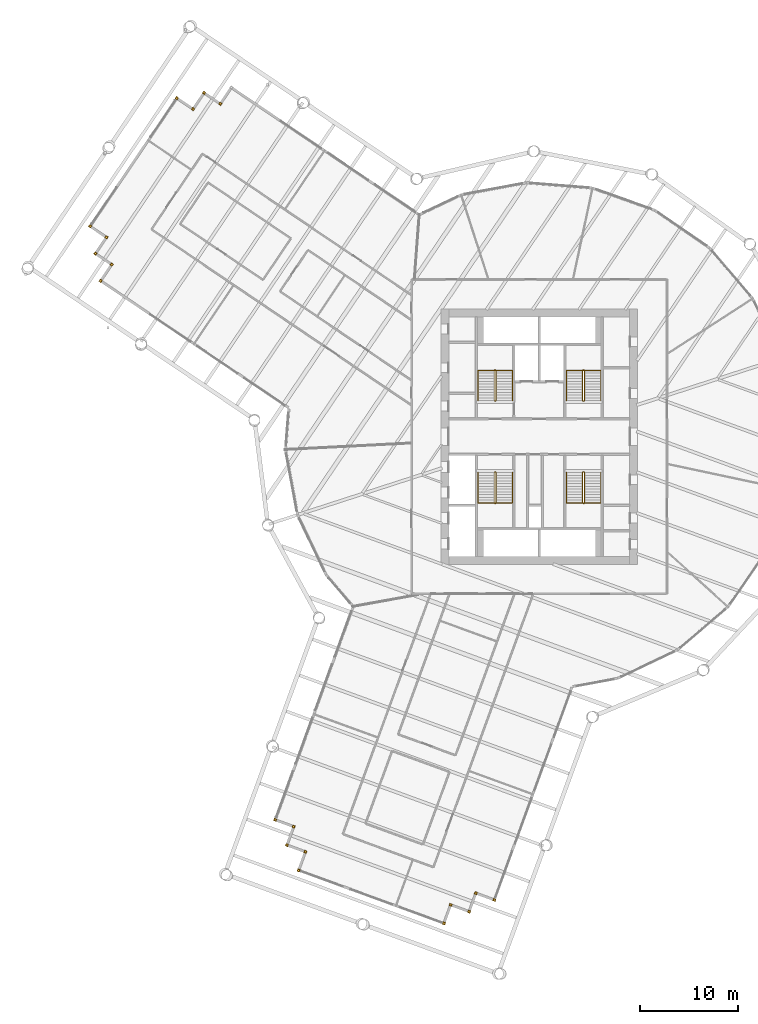
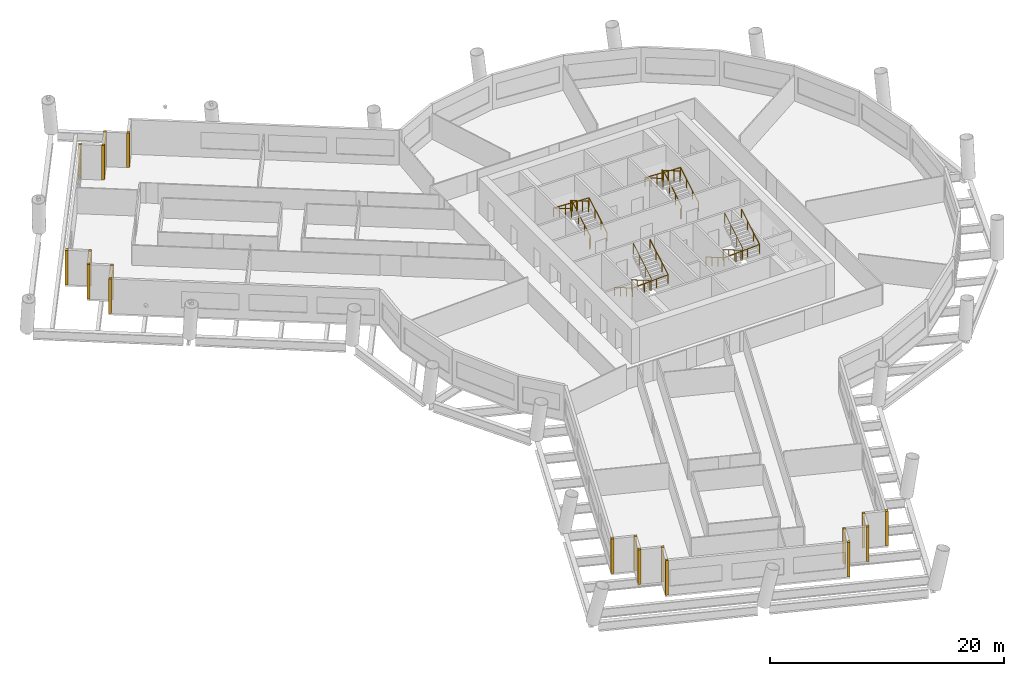
# One storey, part 11 of 13: 19 shading devices, 8 railings.
"""IFC4 building model written with IfcOpenShell, lengths in metres."""

from ifc_helpers import new_model, si_unit, direction, frame, origin, origin_2d, place, context, subcontext, project, spatial, rectangle, circle, extrude, material, type_object, element, save


model = new_model("IFC4")

# Units and contexts
model_context = context("Model", 3, precision=1e-05, world=origin(), true_north=direction((0.0, 1.0)))
body_context = subcontext(model_context, "Body", "Model", "MODEL_VIEW")
ifc_project = project(units=[si_unit("LENGTHUNIT", "METRE"), si_unit("AREAUNIT", "SQUARE_METRE"), si_unit("VOLUMEUNIT", "CUBIC_METRE"), si_unit("PLANEANGLEUNIT", "RADIAN"), si_unit("MASSUNIT", "GRAM", prefix="KILO")], contexts=[model_context])

# Site, building, storey
site_placement = place(None, origin())
site = spatial("IfcSite", under=ifc_project, at=site_placement, CompositionType="ELEMENT")
building_placement = place(site_placement, origin())
building = spatial("IfcBuilding", under=site, at=building_placement, Name="Tarsis Ring Headquarters", CompositionType="ELEMENT")
storey_placement = place(building_placement, frame((0.0, 0.0, 135.699951171875)))
storey = spatial("IfcBuildingStorey", under=building, at=storey_placement, Name="L31", CompositionType="ELEMENT", Elevation=135.699951171875)

# Railings
ifc_material_1 = material(Name="Steel S355", Category="steel")
railing_type_1 = type_object("IfcRailingType", Name="Core stair guard 1100", PredefinedType="GUARDRAIL", material=ifc_material_1)
railing_1_placement = place(storey_placement, frame((-4.5400390625, 3.610107421875, 0.0)))
element("IfcRailing", 1, at=railing_1_placement, inside=storey, type_object=railing_type_1, Name="L31 ST1 stair guard 1", PredefinedType="GUARDRAIL", context=body_context, shape_type="SweptSolid", body=[
    extrude(circle(Radius=0.02392578125, at=origin_2d()), frame((0.0, 0.0, 1.076171875), z_axis=(1.0, 0.0, 0.0), x_axis=(0.0, 1.0, 0.0)), (0.0, 0.0, 1.0), 0.080078125),
    extrude(circle(Radius=0.02392578125, at=origin_2d()), frame((0.080078125, 0.0, 1.076171875), z_axis=(0.282336740067, 0.280959487676, 0.917250092119), x_axis=(-0.705375805398, 0.708833529934, 0.0)), (0.0, 0.0, 1.0), 0.17724609375),
    extrude(circle(Radius=0.02392578125, at=origin_2d()), frame((0.130126953125, 0.0498046875, 1.23876953125), z_axis=(0.0, 0.864920483161, 0.501908913857), x_axis=(-1.0, 0.0, 0.0)), (0.0, 0.0, 1.0), 3.56103515625),
    extrude(circle(Radius=0.02392578125, at=origin_2d()), frame((0.130126953125, 3.1298828125, 3.02587890625), z_axis=(-0.707106781187, 0.707106781187, 0.0), x_axis=(-0.707106781187, -0.707106781187, 0.0)), (0.0, 0.0, 1.0), 0.07080078125),
    extrude(circle(Radius=0.02392578125, at=origin_2d()), frame((0.080078125, 3.179931640625, 3.02587890625), z_axis=(-1.0, 0.0, 0.0), x_axis=(0.0, -1.0, 0.0)), (0.0, 0.0, 1.0), 0.080078125),
    extrude(circle(Radius=0.02392578125, at=origin_2d()), frame((0.0, 3.179931640625, 3.02587890625), z_axis=(-0.282227285176, -0.282227285176, 0.916894497205), x_axis=(0.707106781187, -0.707106781187, 0.0)), (0.0, 0.0, 1.0), 0.17724609375),
    extrude(circle(Radius=0.02392578125, at=origin_2d()), frame((-0.050048828125, 3.1298828125, 3.1884765625), z_axis=(0.0, -0.864890721111, 0.501960198159), x_axis=(1.0, 0.0, 0.0)), (0.0, 0.0, 1.0), 3.561279296875),
    extrude(circle(Radius=0.02099609375, at=origin_2d()), origin(), (0.0, 0.0, 1.0), 1.052001953125),
    extrude(circle(Radius=0.02099609375, at=origin_2d()), frame((0.080078125, 0.0, 0.0)), (0.0, 0.0, 1.0), 1.052001953125),
    extrude(circle(Radius=0.02099609375, at=origin_2d()), frame((0.130126953125, 0.0498046875, 0.16259765625)), (0.0, 0.0, 1.0), 1.052001953125),
    extrude(circle(Radius=0.02099609375, at=origin_2d()), frame((0.130126953125, 1.076416015625, 0.75830078125)), (0.0, 0.0, 1.0), 1.052001953125),
    extrude(circle(Radius=0.02099609375, at=origin_2d()), frame((0.130126953125, 2.103271484375, 1.354248046875)), (0.0, 0.0, 1.0), 1.052001953125),
    extrude(circle(Radius=0.02099609375, at=origin_2d()), frame((0.130126953125, 3.1298828125, 1.949951171875)), (0.0, 0.0, 1.0), 1.052001953125),
    extrude(circle(Radius=0.02099609375, at=origin_2d()), frame((0.080078125, 3.179931640625, 1.949951171875)), (0.0, 0.0, 1.0), 1.052001953125),
    extrude(circle(Radius=0.02099609375, at=origin_2d()), frame((0.0, 3.179931640625, 1.949951171875)), (0.0, 0.0, 1.0), 1.052001953125),
    extrude(circle(Radius=0.02099609375, at=origin_2d()), frame((-0.050048828125, 3.1298828125, 2.112548828125)), (0.0, 0.0, 1.0), 1.052001953125),
    extrude(circle(Radius=0.02099609375, at=origin_2d()), frame((-0.050048828125, 2.103271484375, 2.70849609375)), (0.0, 0.0, 1.0), 1.052001953125),
    extrude(circle(Radius=0.02099609375, at=origin_2d()), frame((-0.050048828125, 1.076416015625, 3.30419921875)), (0.0, 0.0, 1.0), 1.052001953125),
    extrude(circle(Radius=0.02099609375, at=origin_2d()), frame((-0.050048828125, 0.0498046875, 3.900146484375)), (0.0, 0.0, 1.0), 1.052001953125),
])
railing_2_placement = place(storey_placement, frame((4.4599609375, 3.610107421875, 0.0)))
element("IfcRailing", 2, at=railing_2_placement, inside=storey, type_object=railing_type_1, Name="L31 ST2 stair guard 1", PredefinedType="GUARDRAIL", context=body_context, shape_type="SweptSolid", body=[
    extrude(circle(Radius=0.02392578125, at=origin_2d()), frame((0.0, 0.0, 1.076171875), z_axis=(1.0, 0.0, 0.0), x_axis=(0.0, 1.0, 0.0)), (0.0, 0.0, 1.0), 0.080078125),
    extrude(circle(Radius=0.02392578125, at=origin_2d()), frame((0.080078125, 0.0, 1.076171875), z_axis=(0.282336740067, 0.280959487676, 0.917250092119), x_axis=(-0.705375805398, 0.708833529934, 0.0)), (0.0, 0.0, 1.0), 0.17724609375),
    extrude(circle(Radius=0.02392578125, at=origin_2d()), frame((0.130126953125, 0.0498046875, 1.23876953125), z_axis=(0.0, 0.864920483161, 0.501908913857), x_axis=(-1.0, 0.0, 0.0)), (0.0, 0.0, 1.0), 3.56103515625),
    extrude(circle(Radius=0.02392578125, at=origin_2d()), frame((0.130126953125, 3.1298828125, 3.02587890625), z_axis=(-0.707106781187, 0.707106781187, 0.0), x_axis=(-0.707106781187, -0.707106781187, 0.0)), (0.0, 0.0, 1.0), 0.07080078125),
    extrude(circle(Radius=0.02392578125, at=origin_2d()), frame((0.080078125, 3.179931640625, 3.02587890625), z_axis=(-1.0, 0.0, 0.0), x_axis=(0.0, -1.0, 0.0)), (0.0, 0.0, 1.0), 0.080078125),
    extrude(circle(Radius=0.02392578125, at=origin_2d()), frame((0.0, 3.179931640625, 3.02587890625), z_axis=(-0.282227285176, -0.282227285176, 0.916894497205), x_axis=(0.707106781187, -0.707106781187, 0.0)), (0.0, 0.0, 1.0), 0.17724609375),
    extrude(circle(Radius=0.02392578125, at=origin_2d()), frame((-0.050048828125, 3.1298828125, 3.1884765625), z_axis=(0.0, -0.864890721111, 0.501960198159), x_axis=(1.0, 0.0, 0.0)), (0.0, 0.0, 1.0), 3.561279296875),
    extrude(circle(Radius=0.02099609375, at=origin_2d()), origin(), (0.0, 0.0, 1.0), 1.052001953125),
    extrude(circle(Radius=0.02099609375, at=origin_2d()), frame((0.080078125, 0.0, 0.0)), (0.0, 0.0, 1.0), 1.052001953125),
    extrude(circle(Radius=0.02099609375, at=origin_2d()), frame((0.130126953125, 0.0498046875, 0.16259765625)), (0.0, 0.0, 1.0), 1.052001953125),
    extrude(circle(Radius=0.02099609375, at=origin_2d()), frame((0.130126953125, 1.076416015625, 0.75830078125)), (0.0, 0.0, 1.0), 1.052001953125),
    extrude(circle(Radius=0.02099609375, at=origin_2d()), frame((0.130126953125, 2.103271484375, 1.354248046875)), (0.0, 0.0, 1.0), 1.052001953125),
    extrude(circle(Radius=0.02099609375, at=origin_2d()), frame((0.130126953125, 3.1298828125, 1.949951171875)), (0.0, 0.0, 1.0), 1.052001953125),
    extrude(circle(Radius=0.02099609375, at=origin_2d()), frame((0.080078125, 3.179931640625, 1.949951171875)), (0.0, 0.0, 1.0), 1.052001953125),
    extrude(circle(Radius=0.02099609375, at=origin_2d()), frame((0.0, 3.179931640625, 1.949951171875)), (0.0, 0.0, 1.0), 1.052001953125),
    extrude(circle(Radius=0.02099609375, at=origin_2d()), frame((-0.050048828125, 3.1298828125, 2.112548828125)), (0.0, 0.0, 1.0), 1.052001953125),
    extrude(circle(Radius=0.02099609375, at=origin_2d()), frame((-0.050048828125, 2.103271484375, 2.70849609375)), (0.0, 0.0, 1.0), 1.052001953125),
    extrude(circle(Radius=0.02099609375, at=origin_2d()), frame((-0.050048828125, 1.076416015625, 3.30419921875)), (0.0, 0.0, 1.0), 1.052001953125),
    extrude(circle(Radius=0.02099609375, at=origin_2d()), frame((-0.050048828125, 0.0498046875, 3.900146484375)), (0.0, 0.0, 1.0), 1.052001953125),
])
railing_3_placement = place(storey_placement, frame((-4.4599609375, -3.610107421875, 0.0)))
element("IfcRailing", 3, at=railing_3_placement, inside=storey, type_object=railing_type_1, Name="L31 ST3 stair guard 1", PredefinedType="GUARDRAIL", context=body_context, shape_type="SweptSolid", body=[
    extrude(circle(Radius=0.02392578125, at=origin_2d()), frame((0.0, 0.0, 1.076171875), z_axis=(-1.0, 0.0, 0.0), x_axis=(0.0, -1.0, 0.0)), (0.0, 0.0, 1.0), 0.080078125),
    extrude(circle(Radius=0.02392578125, at=origin_2d()), frame((-0.080078125, 0.0, 1.076171875), z_axis=(-0.282336740067, -0.280959487676, 0.917250092119), x_axis=(0.705375805398, -0.708833529934, 0.0)), (0.0, 0.0, 1.0), 0.17724609375),
    extrude(circle(Radius=0.02392578125, at=origin_2d()), frame((-0.130126953125, -0.0498046875, 1.23876953125), z_axis=(0.0, -0.864920483161, 0.501908913857), x_axis=(1.0, 0.0, 0.0)), (0.0, 0.0, 1.0), 3.56103515625),
    extrude(circle(Radius=0.02392578125, at=origin_2d()), frame((-0.130126953125, -3.1298828125, 3.02587890625), z_axis=(0.707106781187, -0.707106781187, 0.0), x_axis=(0.707106781187, 0.707106781187, 0.0)), (0.0, 0.0, 1.0), 0.07080078125),
    extrude(circle(Radius=0.02392578125, at=origin_2d()), frame((-0.080078125, -3.179931640625, 3.02587890625), z_axis=(1.0, 0.0, 0.0), x_axis=(0.0, 1.0, 0.0)), (0.0, 0.0, 1.0), 0.080078125),
    extrude(circle(Radius=0.02392578125, at=origin_2d()), frame((0.0, -3.179931640625, 3.02587890625), z_axis=(0.282227285176, 0.282227285176, 0.916894497205), x_axis=(-0.707106781187, 0.707106781187, 0.0)), (0.0, 0.0, 1.0), 0.17724609375),
    extrude(circle(Radius=0.02392578125, at=origin_2d()), frame((0.050048828125, -3.1298828125, 3.1884765625), z_axis=(0.0, 0.864890721111, 0.501960198159), x_axis=(-1.0, 0.0, 0.0)), (0.0, 0.0, 1.0), 3.561279296875),
    extrude(circle(Radius=0.02099609375, at=origin_2d()), origin(), (0.0, 0.0, 1.0), 1.052001953125),
    extrude(circle(Radius=0.02099609375, at=origin_2d()), frame((-0.080078125, 0.0, 0.0)), (0.0, 0.0, 1.0), 1.052001953125),
    extrude(circle(Radius=0.02099609375, at=origin_2d()), frame((-0.130126953125, -0.0498046875, 0.16259765625)), (0.0, 0.0, 1.0), 1.052001953125),
    extrude(circle(Radius=0.02099609375, at=origin_2d()), frame((-0.130126953125, -1.076416015625, 0.75830078125)), (0.0, 0.0, 1.0), 1.052001953125),
    extrude(circle(Radius=0.02099609375, at=origin_2d()), frame((-0.130126953125, -2.103271484375, 1.354248046875)), (0.0, 0.0, 1.0), 1.052001953125),
    extrude(circle(Radius=0.02099609375, at=origin_2d()), frame((-0.130126953125, -3.1298828125, 1.949951171875)), (0.0, 0.0, 1.0), 1.052001953125),
    extrude(circle(Radius=0.02099609375, at=origin_2d()), frame((-0.080078125, -3.179931640625, 1.949951171875)), (0.0, 0.0, 1.0), 1.052001953125),
    extrude(circle(Radius=0.02099609375, at=origin_2d()), frame((0.0, -3.179931640625, 1.949951171875)), (0.0, 0.0, 1.0), 1.052001953125),
    extrude(circle(Radius=0.02099609375, at=origin_2d()), frame((0.050048828125, -3.1298828125, 2.112548828125)), (0.0, 0.0, 1.0), 1.052001953125),
    extrude(circle(Radius=0.02099609375, at=origin_2d()), frame((0.050048828125, -2.103271484375, 2.70849609375)), (0.0, 0.0, 1.0), 1.052001953125),
    extrude(circle(Radius=0.02099609375, at=origin_2d()), frame((0.050048828125, -1.076416015625, 3.30419921875)), (0.0, 0.0, 1.0), 1.052001953125),
    extrude(circle(Radius=0.02099609375, at=origin_2d()), frame((0.050048828125, -0.0498046875, 3.900146484375)), (0.0, 0.0, 1.0), 1.052001953125),
])
railing_4_placement = place(storey_placement, frame((4.5400390625, -3.610107421875, 0.0)))
element("IfcRailing", 4, at=railing_4_placement, inside=storey, type_object=railing_type_1, Name="L31 ST4 stair guard 1", PredefinedType="GUARDRAIL", context=body_context, shape_type="SweptSolid", body=[
    extrude(circle(Radius=0.02392578125, at=origin_2d()), frame((0.0, 0.0, 1.076171875), z_axis=(-1.0, 0.0, 0.0), x_axis=(0.0, -1.0, 0.0)), (0.0, 0.0, 1.0), 0.080078125),
    extrude(circle(Radius=0.02392578125, at=origin_2d()), frame((-0.080078125, 0.0, 1.076171875), z_axis=(-0.282336740067, -0.280959487676, 0.917250092119), x_axis=(0.705375805398, -0.708833529934, 0.0)), (0.0, 0.0, 1.0), 0.17724609375),
    extrude(circle(Radius=0.02392578125, at=origin_2d()), frame((-0.130126953125, -0.0498046875, 1.23876953125), z_axis=(0.0, -0.864920483161, 0.501908913857), x_axis=(1.0, 0.0, 0.0)), (0.0, 0.0, 1.0), 3.56103515625),
    extrude(circle(Radius=0.02392578125, at=origin_2d()), frame((-0.130126953125, -3.1298828125, 3.02587890625), z_axis=(0.707106781187, -0.707106781187, 0.0), x_axis=(0.707106781187, 0.707106781187, 0.0)), (0.0, 0.0, 1.0), 0.07080078125),
    extrude(circle(Radius=0.02392578125, at=origin_2d()), frame((-0.080078125, -3.179931640625, 3.02587890625), z_axis=(1.0, 0.0, 0.0), x_axis=(0.0, 1.0, 0.0)), (0.0, 0.0, 1.0), 0.080078125),
    extrude(circle(Radius=0.02392578125, at=origin_2d()), frame((0.0, -3.179931640625, 3.02587890625), z_axis=(0.282227285176, 0.282227285176, 0.916894497205), x_axis=(-0.707106781187, 0.707106781187, 0.0)), (0.0, 0.0, 1.0), 0.17724609375),
    extrude(circle(Radius=0.02392578125, at=origin_2d()), frame((0.050048828125, -3.1298828125, 3.1884765625), z_axis=(0.0, 0.864890721111, 0.501960198159), x_axis=(-1.0, 0.0, 0.0)), (0.0, 0.0, 1.0), 3.561279296875),
    extrude(circle(Radius=0.02099609375, at=origin_2d()), origin(), (0.0, 0.0, 1.0), 1.052001953125),
    extrude(circle(Radius=0.02099609375, at=origin_2d()), frame((-0.080078125, 0.0, 0.0)), (0.0, 0.0, 1.0), 1.052001953125),
    extrude(circle(Radius=0.02099609375, at=origin_2d()), frame((-0.130126953125, -0.0498046875, 0.16259765625)), (0.0, 0.0, 1.0), 1.052001953125),
    extrude(circle(Radius=0.02099609375, at=origin_2d()), frame((-0.130126953125, -1.076416015625, 0.75830078125)), (0.0, 0.0, 1.0), 1.052001953125),
    extrude(circle(Radius=0.02099609375, at=origin_2d()), frame((-0.130126953125, -2.103271484375, 1.354248046875)), (0.0, 0.0, 1.0), 1.052001953125),
    extrude(circle(Radius=0.02099609375, at=origin_2d()), frame((-0.130126953125, -3.1298828125, 1.949951171875)), (0.0, 0.0, 1.0), 1.052001953125),
    extrude(circle(Radius=0.02099609375, at=origin_2d()), frame((-0.080078125, -3.179931640625, 1.949951171875)), (0.0, 0.0, 1.0), 1.052001953125),
    extrude(circle(Radius=0.02099609375, at=origin_2d()), frame((0.0, -3.179931640625, 1.949951171875)), (0.0, 0.0, 1.0), 1.052001953125),
    extrude(circle(Radius=0.02099609375, at=origin_2d()), frame((0.050048828125, -3.1298828125, 2.112548828125)), (0.0, 0.0, 1.0), 1.052001953125),
    extrude(circle(Radius=0.02099609375, at=origin_2d()), frame((0.050048828125, -2.103271484375, 2.70849609375)), (0.0, 0.0, 1.0), 1.052001953125),
    extrude(circle(Radius=0.02099609375, at=origin_2d()), frame((0.050048828125, -1.076416015625, 3.30419921875)), (0.0, 0.0, 1.0), 1.052001953125),
    extrude(circle(Radius=0.02099609375, at=origin_2d()), frame((0.050048828125, -0.0498046875, 3.900146484375)), (0.0, 0.0, 1.0), 1.052001953125),
])
railing_type_2 = type_object("IfcRailingType", Name="Core stair handrail 900", PredefinedType="HANDRAIL", material=ifc_material_1)
railing_5_placement = place(storey_placement, frame((-2.75, 3.659912109375, 0.16259765625)))
element("IfcRailing", 5, at=railing_5_placement, inside=storey, type_object=railing_type_2, Name="L31 ST1 stair handrail 1", PredefinedType="HANDRAIL", context=body_context, shape_type="SweptSolid", body=[
    extrude(circle(Radius=0.02392578125, at=origin_2d()), frame((0.0, 0.0, 0.8759765625), z_axis=(0.0, 0.864920483161, 0.501908913857), x_axis=(-1.0, 0.0, 0.0)), (0.0, 0.0, 1.0), 3.56103515625),
    extrude(circle(Radius=0.02392578125, at=origin_2d()), frame((0.0, 3.080078125, 2.6630859375), z_axis=(-0.998922641604, 0.0, 0.046406422943), x_axis=(0.0, -1.0, 0.0)), (0.0, 0.0, 1.0), 3.503662109375),
    extrude(circle(Radius=0.02392578125, at=origin_2d()), frame((-3.5, 3.080078125, 2.82568359375), z_axis=(0.0, -0.864890721111, 0.501960198159), x_axis=(1.0, 0.0, 0.0)), (0.0, 0.0, 1.0), 3.561279296875),
    extrude(circle(Radius=0.02099609375, at=origin_2d()), origin(), (0.0, 0.0, 1.0), 0.851806640625),
    extrude(circle(Radius=0.02099609375, at=origin_2d()), frame((0.0, 1.026611328125, 0.595703125)), (0.0, 0.0, 1.0), 0.851806640625),
    extrude(circle(Radius=0.02099609375, at=origin_2d()), frame((0.0, 2.053466796875, 1.191650390625)), (0.0, 0.0, 1.0), 0.851806640625),
    extrude(circle(Radius=0.02099609375, at=origin_2d()), frame((0.0, 3.080078125, 1.787353515625)), (0.0, 0.0, 1.0), 0.851806640625),
    extrude(circle(Radius=0.02099609375, at=origin_2d()), frame((-1.166748046875, 3.080078125, 1.841552734375)), (0.0, 0.0, 1.0), 0.851806640625),
    extrude(circle(Radius=0.02099609375, at=origin_2d()), frame((-2.333251953125, 3.080078125, 1.895751953125)), (0.0, 0.0, 1.0), 0.851806640625),
    extrude(circle(Radius=0.02099609375, at=origin_2d()), frame((-3.5, 3.080078125, 1.949951171875)), (0.0, 0.0, 1.0), 0.851806640625),
    extrude(circle(Radius=0.02099609375, at=origin_2d()), frame((-3.5, 2.053466796875, 2.5458984375)), (0.0, 0.0, 1.0), 0.851806640625),
    extrude(circle(Radius=0.02099609375, at=origin_2d()), frame((-3.5, 1.026611328125, 3.1416015625)), (0.0, 0.0, 1.0), 0.851806640625),
    extrude(circle(Radius=0.02099609375, at=origin_2d()), frame((-3.5, 0.0, 3.737548828125)), (0.0, 0.0, 1.0), 0.851806640625),
])
railing_6_placement = place(storey_placement, frame((6.25, 3.659912109375, 0.16259765625)))
element("IfcRailing", 6, at=railing_6_placement, inside=storey, type_object=railing_type_2, Name="L31 ST2 stair handrail 1", PredefinedType="HANDRAIL", context=body_context, shape_type="SweptSolid", body=[
    extrude(circle(Radius=0.02392578125, at=origin_2d()), frame((0.0, 0.0, 0.8759765625), z_axis=(0.0, 0.864920483161, 0.501908913857), x_axis=(-1.0, 0.0, 0.0)), (0.0, 0.0, 1.0), 3.56103515625),
    extrude(circle(Radius=0.02392578125, at=origin_2d()), frame((0.0, 3.080078125, 2.6630859375), z_axis=(-0.998922641604, 0.0, 0.046406422943), x_axis=(0.0, -1.0, 0.0)), (0.0, 0.0, 1.0), 3.503662109375),
    extrude(circle(Radius=0.02392578125, at=origin_2d()), frame((-3.5, 3.080078125, 2.82568359375), z_axis=(0.0, -0.864890721111, 0.501960198159), x_axis=(1.0, 0.0, 0.0)), (0.0, 0.0, 1.0), 3.561279296875),
    extrude(circle(Radius=0.02099609375, at=origin_2d()), origin(), (0.0, 0.0, 1.0), 0.851806640625),
    extrude(circle(Radius=0.02099609375, at=origin_2d()), frame((0.0, 1.026611328125, 0.595703125)), (0.0, 0.0, 1.0), 0.851806640625),
    extrude(circle(Radius=0.02099609375, at=origin_2d()), frame((0.0, 2.053466796875, 1.191650390625)), (0.0, 0.0, 1.0), 0.851806640625),
    extrude(circle(Radius=0.02099609375, at=origin_2d()), frame((0.0, 3.080078125, 1.787353515625)), (0.0, 0.0, 1.0), 0.851806640625),
    extrude(circle(Radius=0.02099609375, at=origin_2d()), frame((-1.166748046875, 3.080078125, 1.841552734375)), (0.0, 0.0, 1.0), 0.851806640625),
    extrude(circle(Radius=0.02099609375, at=origin_2d()), frame((-2.333251953125, 3.080078125, 1.895751953125)), (0.0, 0.0, 1.0), 0.851806640625),
    extrude(circle(Radius=0.02099609375, at=origin_2d()), frame((-3.5, 3.080078125, 1.949951171875)), (0.0, 0.0, 1.0), 0.851806640625),
    extrude(circle(Radius=0.02099609375, at=origin_2d()), frame((-3.5, 2.053466796875, 2.5458984375)), (0.0, 0.0, 1.0), 0.851806640625),
    extrude(circle(Radius=0.02099609375, at=origin_2d()), frame((-3.5, 1.026611328125, 3.1416015625)), (0.0, 0.0, 1.0), 0.851806640625),
    extrude(circle(Radius=0.02099609375, at=origin_2d()), frame((-3.5, 0.0, 3.737548828125)), (0.0, 0.0, 1.0), 0.851806640625),
])
railing_7_placement = place(storey_placement, frame((-6.25, -3.659912109375, 0.16259765625)))
element("IfcRailing", 7, at=railing_7_placement, inside=storey, type_object=railing_type_2, Name="L31 ST3 stair handrail 1", PredefinedType="HANDRAIL", context=body_context, shape_type="SweptSolid", body=[
    extrude(circle(Radius=0.02392578125, at=origin_2d()), frame((0.0, 0.0, 0.8759765625), z_axis=(0.0, -0.864920483161, 0.501908913857), x_axis=(1.0, 0.0, 0.0)), (0.0, 0.0, 1.0), 3.56103515625),
    extrude(circle(Radius=0.02392578125, at=origin_2d()), frame((0.0, -3.080078125, 2.6630859375), z_axis=(0.998922641604, 0.0, 0.046406422943), x_axis=(0.0, 1.0, 0.0)), (0.0, 0.0, 1.0), 3.503662109375),
    extrude(circle(Radius=0.02392578125, at=origin_2d()), frame((3.5, -3.080078125, 2.82568359375), z_axis=(0.0, 0.864890721111, 0.501960198159), x_axis=(-1.0, 0.0, 0.0)), (0.0, 0.0, 1.0), 3.561279296875),
    extrude(circle(Radius=0.02099609375, at=origin_2d()), origin(), (0.0, 0.0, 1.0), 0.851806640625),
    extrude(circle(Radius=0.02099609375, at=origin_2d()), frame((0.0, -1.026611328125, 0.595703125)), (0.0, 0.0, 1.0), 0.851806640625),
    extrude(circle(Radius=0.02099609375, at=origin_2d()), frame((0.0, -2.053466796875, 1.191650390625)), (0.0, 0.0, 1.0), 0.851806640625),
    extrude(circle(Radius=0.02099609375, at=origin_2d()), frame((0.0, -3.080078125, 1.787353515625)), (0.0, 0.0, 1.0), 0.851806640625),
    extrude(circle(Radius=0.02099609375, at=origin_2d()), frame((1.166748046875, -3.080078125, 1.841552734375)), (0.0, 0.0, 1.0), 0.851806640625),
    extrude(circle(Radius=0.02099609375, at=origin_2d()), frame((2.333251953125, -3.080078125, 1.895751953125)), (0.0, 0.0, 1.0), 0.851806640625),
    extrude(circle(Radius=0.02099609375, at=origin_2d()), frame((3.5, -3.080078125, 1.949951171875)), (0.0, 0.0, 1.0), 0.851806640625),
    extrude(circle(Radius=0.02099609375, at=origin_2d()), frame((3.5, -2.053466796875, 2.5458984375)), (0.0, 0.0, 1.0), 0.851806640625),
    extrude(circle(Radius=0.02099609375, at=origin_2d()), frame((3.5, -1.026611328125, 3.1416015625)), (0.0, 0.0, 1.0), 0.851806640625),
    extrude(circle(Radius=0.02099609375, at=origin_2d()), frame((3.5, 0.0, 3.737548828125)), (0.0, 0.0, 1.0), 0.851806640625),
])
railing_8_placement = place(storey_placement, frame((2.75, -3.659912109375, 0.16259765625)))
element("IfcRailing", 8, at=railing_8_placement, inside=storey, type_object=railing_type_2, Name="L31 ST4 stair handrail 1", PredefinedType="HANDRAIL", context=body_context, shape_type="SweptSolid", body=[
    extrude(circle(Radius=0.02392578125, at=origin_2d()), frame((0.0, 0.0, 0.8759765625), z_axis=(0.0, -0.864920483161, 0.501908913857), x_axis=(1.0, 0.0, 0.0)), (0.0, 0.0, 1.0), 3.56103515625),
    extrude(circle(Radius=0.02392578125, at=origin_2d()), frame((0.0, -3.080078125, 2.6630859375), z_axis=(0.998922641604, 0.0, 0.046406422943), x_axis=(0.0, 1.0, 0.0)), (0.0, 0.0, 1.0), 3.503662109375),
    extrude(circle(Radius=0.02392578125, at=origin_2d()), frame((3.5, -3.080078125, 2.82568359375), z_axis=(0.0, 0.864890721111, 0.501960198159), x_axis=(-1.0, 0.0, 0.0)), (0.0, 0.0, 1.0), 3.561279296875),
    extrude(circle(Radius=0.02099609375, at=origin_2d()), origin(), (0.0, 0.0, 1.0), 0.851806640625),
    extrude(circle(Radius=0.02099609375, at=origin_2d()), frame((0.0, -1.026611328125, 0.595703125)), (0.0, 0.0, 1.0), 0.851806640625),
    extrude(circle(Radius=0.02099609375, at=origin_2d()), frame((0.0, -2.053466796875, 1.191650390625)), (0.0, 0.0, 1.0), 0.851806640625),
    extrude(circle(Radius=0.02099609375, at=origin_2d()), frame((0.0, -3.080078125, 1.787353515625)), (0.0, 0.0, 1.0), 0.851806640625),
    extrude(circle(Radius=0.02099609375, at=origin_2d()), frame((1.166748046875, -3.080078125, 1.841552734375)), (0.0, 0.0, 1.0), 0.851806640625),
    extrude(circle(Radius=0.02099609375, at=origin_2d()), frame((2.333251953125, -3.080078125, 1.895751953125)), (0.0, 0.0, 1.0), 0.851806640625),
    extrude(circle(Radius=0.02099609375, at=origin_2d()), frame((3.5, -3.080078125, 1.949951171875)), (0.0, 0.0, 1.0), 0.851806640625),
    extrude(circle(Radius=0.02099609375, at=origin_2d()), frame((3.5, -2.053466796875, 2.5458984375)), (0.0, 0.0, 1.0), 0.851806640625),
    extrude(circle(Radius=0.02099609375, at=origin_2d()), frame((3.5, -1.026611328125, 3.1416015625)), (0.0, 0.0, 1.0), 0.851806640625),
    extrude(circle(Radius=0.02099609375, at=origin_2d()), frame((3.5, 0.0, 3.737548828125)), (0.0, 0.0, 1.0), 0.851806640625),
])

# Shading devices
ifc_material_2 = material(Name="Terracotta baguette", Category="masonry")
shading_device_type = type_object("IfcShadingDeviceType", Name="Terracotta corner baguette 250x250", PredefinedType="USERDEFINED", material=ifc_material_2)
for number, where, z_axis, x_axis, name in (
    (9, (-44.656005859375, 15.85498046875, 0.0), (0.0, 0.0, 1.0), (-0.560060936327, -0.828451415353, 0.0), "Corner baguette L31-01"),
    (10, (-26.889892578125, -39.018798828125, 0.0), (0.0, 0.0, 1.0), (-0.343003999424, -0.939333942951, 0.0), "Corner baguette L31-07"),
    (11, (-25.01123046875, -39.704833984375, 0.0), (0.0, 0.0, 1.0), (0.939333948937, -0.343003983029, 0.0), "Corner baguette L31-08"),
    (12, (-25.697265625, -41.58349609375, 0.0), (0.0, 0.0, 1.0), (-0.343003983029, -0.939333948937, 0.0), "Corner baguette L31-09"),
    (13, (-23.818603515625, -42.26953125, 0.0), (0.0, 0.0, 1.0), (0.939333889072, -0.343004146974, 0.0), "Corner baguette L31-10"),
    (14, (-24.504638671875, -44.148193359375, 0.0), (0.0, 0.0, 1.0), (-0.343003983029, -0.939333948937, 0.0), "Corner baguette L31-11"),
    (15, (-9.7099609375, -49.550537109375, 0.0), (0.0, 0.0, 1.0), (0.939333942951, -0.343003999424, 0.0), "Corner baguette L31-12"),
    (16, (-9.024169921875, -47.671875, 0.0), (0.0, 0.0, 1.0), (0.343003983029, 0.939333948937, 0.0), "Corner baguette L31-13"),
    (17, (-7.1455078125, -48.357666015625, 0.0), (0.0, 0.0, 1.0), (0.939334008803, -0.343003819084, 0.0), "Corner baguette L31-14"),
    (18, (-6.45947265625, -46.47900390625, 0.0), (0.0, 0.0, 1.0), (0.343003983029, 0.939333948937, 0.0), "Corner baguette L31-15"),
    (19, (-4.580810546875, -47.1650390625, 0.0), (0.0, 0.0, 1.0), (0.939333889072, -0.343004146974, 0.0), "Corner baguette L31-16"),
    (20, (-32.474609375, 33.873779296875, 0.0), (0.0, 0.0, 1.0), (-0.560060603765, -0.828451640176, 0.0), "Corner baguette L31-33"),
    (21, (-34.131591796875, 34.993896484375, 0.0), (0.0, 0.0, 1.0), (-0.828451571752, 0.560060704979, 0.0), "Corner baguette L31-34"),
    (22, (-35.251708984375, 33.3369140625, 0.0), (0.0, 0.0, 1.0), (-0.560060936327, -0.828451415353, 0.0), "Corner baguette L31-35"),
    (23, (-36.908447265625, 34.45703125, 0.0), (0.0, 0.0, 1.0), (-0.828451640176, 0.560060603765, 0.0), "Corner baguette L31-36"),
    (24, (-45.7294921875, 21.408935546875, 0.0), (0.0, 0.0, 1.0), (-0.560060762816, -0.828451532652, 0.0), "Corner baguette L31-37"),
    (25, (-44.072509765625, 20.288818359375, 0.0), (0.0, 0.0, 1.0), (0.828451415353, -0.560060936327, 0.0), "Corner baguette L31-38"),
    (26, (-45.192626953125, 18.6318359375, 0.0), (0.0, 0.0, 1.0), (-0.560060603765, -0.828451640176, 0.0), "Corner baguette L31-39"),
    (27, (-43.535888671875, 17.51171875, 0.0), (0.0, 0.0, 1.0), (0.828451640176, -0.560060603765, 0.0), "Corner baguette L31-40"),
):
    element("IfcShadingDevice", number, at=place(storey_placement, frame(where, z_axis=z_axis, x_axis=x_axis)), inside=storey, type_object=shading_device_type, Name=name, ObjectType="Terracotta corner baguette", PredefinedType="USERDEFINED", context=body_context, shape_type="SweptSolid", body=[
        extrude(rectangle(XDim=0.25, YDim=0.25, at=origin_2d()), origin(), (0.0, 0.0, 1.0), 3.60009765625),
    ])

save(model, "model.ifc")
